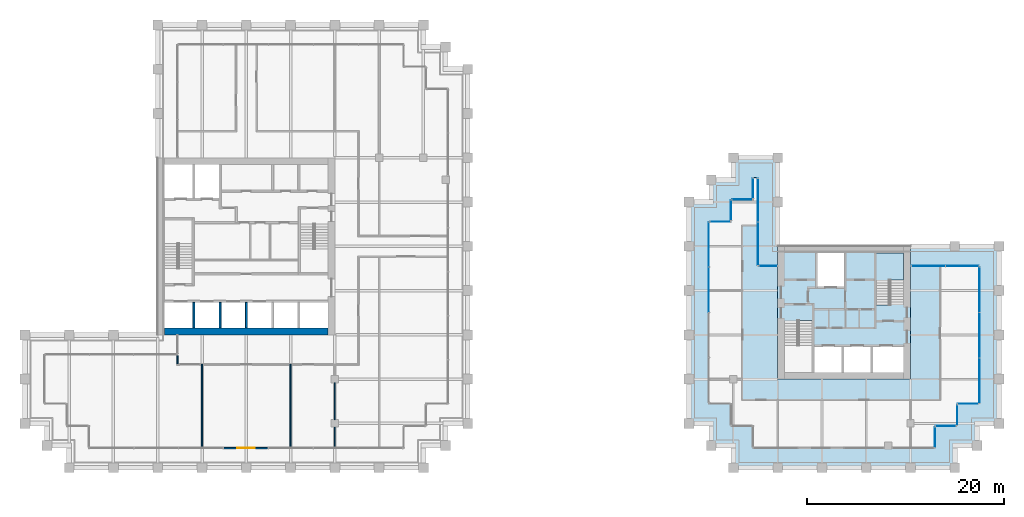
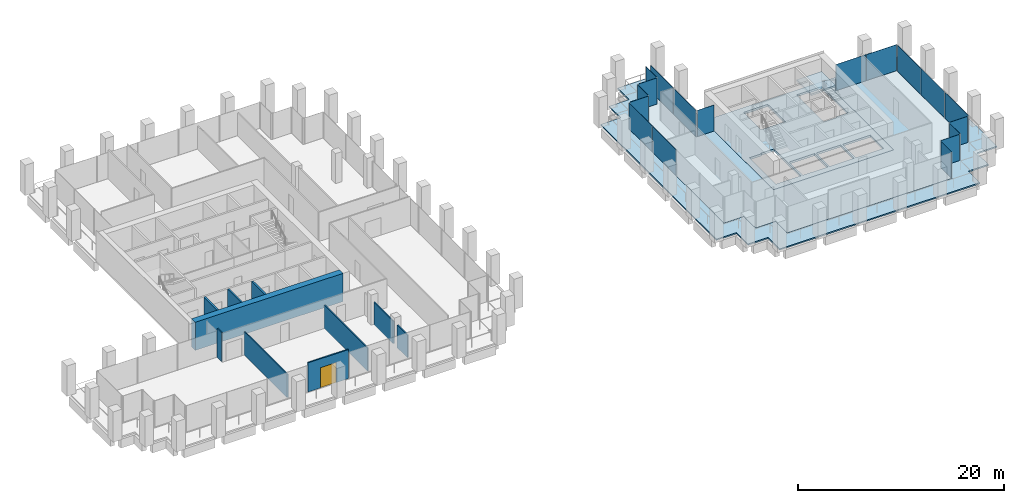
# One storey, part 40 of 46: 18 plates, 10 walls, 4 slabs, 1 door, 1 opening, 14 elements without a shape of their own.
"""IFC4 building model written with IfcOpenShell, lengths in metres."""

from ifc_helpers import new_model, si_unit, direction, frame, frame_2d, origin, origin_2d, place, context, subcontext, project, spatial, polyline, rectangle, outline, extrude, material, layer, layer_set, type_object, element, fill, aggregate, save


model = new_model("IFC4")

# Units and contexts
model_context = context("Model", 3, precision=1e-05, world=origin(), true_north=direction((0.0, 1.0)))
body_context = subcontext(model_context, "Body", "Model", "MODEL_VIEW")
ifc_project = project(units=[si_unit("LENGTHUNIT", "METRE"), si_unit("AREAUNIT", "SQUARE_METRE"), si_unit("VOLUMEUNIT", "CUBIC_METRE"), si_unit("PLANEANGLEUNIT", "RADIAN"), si_unit("MASSUNIT", "GRAM", prefix="KILO")], contexts=[model_context])

# Site, building, storey
site_placement = place(None, origin())
site = spatial("IfcSite", under=ifc_project, at=site_placement, CompositionType="ELEMENT")
building_placement = place(site_placement, origin())
building = spatial("IfcBuilding", under=site, at=building_placement, Name="Altepetl Exchange Towers", CompositionType="ELEMENT")
storey_placement = place(building_placement, frame((0.0, 0.0, 106.39990234375)))
storey = spatial("IfcBuildingStorey", under=building, at=storey_placement, Name="L26", CompositionType="ELEMENT", Elevation=106.39990234375)

# Slabs
ifc_material_1 = material(Name="Concrete C40/50", Category="concrete")
ifc_layer_1 = layer(ifc_material_1, 0.14990234375)
ifc_layer_set_1 = layer_set([ifc_layer_1], Name="Concrete C40/50")
slab_type_1 = type_object("IfcSlabType", Name="Composite floor slab 150", PredefinedType="FLOOR", material=ifc_layer_set_1)
slab_1_placement = place(storey_placement, frame((0.0, 0.0, -0.14990234375)))
element("IfcSlab", 1, at=slab_1_placement, inside=storey, type_object=slab_type_1, Name="slab:B:L26:strip0", PredefinedType="FLOOR", context=body_context, shape_type="SweptSolid", body=[
    extrude(outline(polyline([(98.75, 54.25), (98.75, 52.0), (96.5, 52.0), (96.5, 33.5), (98.75, 33.5), (98.75, 31.25), (101.0, 31.25), (101.0, 29.0), (119.5, 29.0), (119.5, 31.25), (121.75, 31.25), (121.75, 33.5), (124.0, 33.5), (124.0, 47.5), (117.0, 47.5), (117.0, 36.0), (103.5, 36.0), (103.5, 47.5), (101.5, 47.5), (101.5, 56.5), (101.0, 56.5), (101.0, 54.25), (98.75, 54.25)])), origin(), (0.0, 0.0, 1.0), 0.14990234375),
])
ifc_layer_2 = layer(ifc_material_1, 0.25)
ifc_layer_set_2 = layer_set([ifc_layer_2], Name="Concrete C40/50")
slab_type_2 = type_object("IfcSlabType", Name="Core floor slab 250", PredefinedType="FLOOR", material=ifc_layer_set_2)
slab_2_placement = place(storey_placement, frame((0.0, 0.0, -0.25)))
element("IfcSlab", 2, at=slab_2_placement, inside=storey, type_object=slab_type_2, Name="slab:B:L26:core0", PredefinedType="FLOOR", context=body_context, shape_type="SweptSolid", body=[
    extrude(outline(polyline([(103.5, 36.0), (117.0, 36.0), (117.0, 49.5), (103.5, 49.5), (103.5, 36.0)]), holes=[polyline([(107.199951171875, 36.699951171875), (107.199951171875, 39.300048828125), (110.032958984375, 39.300048828125), (110.032958984375, 36.699951171875), (107.199951171875, 36.699951171875)]), polyline([(110.23291015625, 39.300048828125), (112.967041015625, 39.300048828125), (112.967041015625, 36.699951171875), (110.23291015625, 36.699951171875), (110.23291015625, 39.300048828125)]), polyline([(113.1669921875, 39.300048828125), (116.300048828125, 39.300048828125), (116.300048828125, 36.699951171875), (113.1669921875, 36.699951171875), (113.1669921875, 39.300048828125)]), polyline([(107.0, 36.699951171875), (104.199951171875, 36.699951171875), (104.199951171875, 41.85009765625), (105.550048828125, 41.85009765625), (105.550048828125, 41.948974609375), (107.0, 41.948974609375), (107.0, 36.699951171875)]), polyline([(116.300048828125, 48.800048828125), (116.300048828125, 43.64990234375), (114.949951171875, 43.64990234375), (114.949951171875, 43.551025390625), (113.5, 43.551025390625), (113.5, 48.800048828125), (116.300048828125, 48.800048828125)]), polyline([(107.532958984375, 48.800048828125), (110.26708984375, 48.800048828125), (110.26708984375, 45.39990234375), (107.532958984375, 45.39990234375), (107.532958984375, 48.800048828125)])]), origin(), (0.0, 0.0, 1.0), 0.25),
])

# Curtain wall, plate
ifc_material_2 = material(Name="Aluminium 6063-T6 glazing", Category="aluminium")
curtain_wall_type = type_object("IfcCurtainWallType", Name="Loggia glazing system", PredefinedType="NOTDEFINED", material=ifc_material_2)
curtain_wall_1_placement = place(storey_placement, origin())
curtain_wall_1 = element("IfcCurtainWall", 3, at=curtain_wall_1_placement, inside=storey, type_object=curtain_wall_type, Name="CW1 run", PredefinedType="NOTDEFINED")
ifc_material_3 = material(Name="Glass 6-16-6 low emissivity", Category="glass")
ifc_layer_3 = layer(ifc_material_3, 0.028076171875)
ifc_layer_set_3 = layer_set([ifc_layer_3], Name="Glass 6-16-6 low emissivity")
plate_type = type_object("IfcPlateType", Name="Glass panel 28 double glazed", PredefinedType="CURTAIN_PANEL", material=ifc_layer_set_3)
plate_1_placement = place(storey_placement, frame((97.66259765625, 52.0, 0.0), z_axis=(0.0, 0.0, 1.0), x_axis=(-1.0, 0.0, 0.0)))
plate_1 = element("IfcPlate", 4, at=plate_1_placement, type_object=plate_type, Name="GP1 panel", PredefinedType="CURTAIN_PANEL", context=body_context, shape_type="SweptSolid", body=[
    extrude(rectangle(XDim=2.054931640625, YDim=0.028076171875, at=origin_2d()), origin(), (0.0, 0.0, 1.0), 3.10009765625),
])
aggregate(curtain_wall_1, [plate_1])

# Curtain wall, plates
curtain_wall_2_placement = place(storey_placement, origin())
curtain_wall_2 = element("IfcCurtainWall", 5, at=curtain_wall_2_placement, inside=storey, type_object=curtain_wall_type, Name="CW1 run", PredefinedType="NOTDEFINED")
plate_2_placement = place(storey_placement, frame((96.5, 49.681884765625, 0.0), z_axis=(0.0, 0.0, 1.0), x_axis=(0.0, -1.0, 0.0)))
plate_2 = element("IfcPlate", 6, at=plate_2_placement, type_object=plate_type, Name="GP1 panel", PredefinedType="CURTAIN_PANEL", context=body_context, shape_type="SweptSolid", body=[
    extrude(rectangle(XDim=4.516357421875, YDim=0.028076171875, at=origin_2d()), origin(), (0.0, 0.0, 1.0), 3.10009765625),
])
plate_3_placement = place(storey_placement, frame((96.5, 45.090576171875, 0.0), z_axis=(0.0, 0.0, 1.0), x_axis=(0.0, -1.0, 0.0)))
plate_3 = element("IfcPlate", 7, at=plate_3_placement, type_object=plate_type, Name="GP1 panel", PredefinedType="CURTAIN_PANEL", context=body_context, shape_type="SweptSolid", body=[
    extrude(rectangle(XDim=4.546142578125, YDim=0.028076171875, at=origin_2d()), origin(), (0.0, 0.0, 1.0), 3.10009765625),
])
aggregate(curtain_wall_2, [plate_2, plate_3])

# Curtain wall, plate
curtain_wall_3_placement = place(storey_placement, origin())
curtain_wall_3 = element("IfcCurtainWall", 8, at=curtain_wall_3_placement, inside=storey, type_object=curtain_wall_type, Name="CW1 run", PredefinedType="NOTDEFINED")
plate_4_placement = place(storey_placement, frame((119.5, 30.08740234375, 0.0), z_axis=(0.0, 0.0, 1.0), x_axis=(0.0, 1.0, 0.0)))
plate_4 = element("IfcPlate", 9, at=plate_4_placement, type_object=plate_type, Name="GP1 panel", PredefinedType="CURTAIN_PANEL", context=body_context, shape_type="SweptSolid", body=[
    extrude(rectangle(XDim=2.054931640625, YDim=0.028076171875, at=origin_2d()), origin(), (0.0, 0.0, 1.0), 3.10009765625),
])
aggregate(curtain_wall_3, [plate_4])

curtain_wall_4_placement = place(storey_placement, origin())
curtain_wall_4 = element("IfcCurtainWall", 10, at=curtain_wall_4_placement, inside=storey, type_object=curtain_wall_type, Name="CW1 run", PredefinedType="NOTDEFINED")
plate_5_placement = place(storey_placement, frame((120.58740234375, 31.25, 0.0)))
plate_5 = element("IfcPlate", 11, at=plate_5_placement, type_object=plate_type, Name="GP1 panel", PredefinedType="CURTAIN_PANEL", context=body_context, shape_type="SweptSolid", body=[
    extrude(rectangle(XDim=2.054931640625, YDim=0.028076171875, at=origin_2d()), origin(), (0.0, 0.0, 1.0), 3.10009765625),
])
aggregate(curtain_wall_4, [plate_5])

curtain_wall_5_placement = place(storey_placement, origin())
curtain_wall_5 = element("IfcCurtainWall", 12, at=curtain_wall_5_placement, inside=storey, type_object=curtain_wall_type, Name="CW1 run", PredefinedType="NOTDEFINED")
plate_6_placement = place(storey_placement, frame((121.75, 32.33740234375, 0.0), z_axis=(0.0, 0.0, 1.0), x_axis=(0.0, 1.0, 0.0)))
plate_6 = element("IfcPlate", 13, at=plate_6_placement, type_object=plate_type, Name="GP1 panel", PredefinedType="CURTAIN_PANEL", context=body_context, shape_type="SweptSolid", body=[
    extrude(rectangle(XDim=2.054931640625, YDim=0.028076171875, at=origin_2d()), origin(), (0.0, 0.0, 1.0), 3.10009765625),
])
aggregate(curtain_wall_5, [plate_6])

curtain_wall_6_placement = place(storey_placement, origin())
curtain_wall_6 = element("IfcCurtainWall", 14, at=curtain_wall_6_placement, inside=storey, type_object=curtain_wall_type, Name="CW1 run", PredefinedType="NOTDEFINED")
plate_7_placement = place(storey_placement, frame((122.83740234375, 33.5, 0.0)))
plate_7 = element("IfcPlate", 15, at=plate_7_placement, type_object=plate_type, Name="GP1 panel", PredefinedType="CURTAIN_PANEL", context=body_context, shape_type="SweptSolid", body=[
    extrude(rectangle(XDim=2.054931640625, YDim=0.028076171875, at=origin_2d()), origin(), (0.0, 0.0, 1.0), 3.10009765625),
])
aggregate(curtain_wall_6, [plate_7])

# Curtain wall, plates
curtain_wall_7_placement = place(storey_placement, origin())
curtain_wall_7 = element("IfcCurtainWall", 16, at=curtain_wall_7_placement, inside=storey, type_object=curtain_wall_type, Name="CW1 run", PredefinedType="NOTDEFINED")
plate_8_placement = place(storey_placement, frame((124.0, 35.8359375, 0.0), z_axis=(0.0, 0.0, 1.0), x_axis=(0.0, 1.0, 0.0)))
plate_8 = element("IfcPlate", 17, at=plate_8_placement, type_object=plate_type, Name="GP1 panel", PredefinedType="CURTAIN_PANEL", context=body_context, shape_type="SweptSolid", body=[
    extrude(rectangle(XDim=4.5517578125, YDim=0.028076171875, at=origin_2d()), origin(), (0.0, 0.0, 1.0), 3.10009765625),
])
plate_9_placement = place(storey_placement, frame((124.0, 40.46240234375, 0.0), z_axis=(0.0, 0.0, 1.0), x_axis=(0.0, 1.0, 0.0)))
plate_9 = element("IfcPlate", 18, at=plate_9_placement, type_object=plate_type, Name="GP1 panel", PredefinedType="CURTAIN_PANEL", context=body_context, shape_type="SweptSolid", body=[
    extrude(rectangle(XDim=4.581787109375, YDim=0.028076171875, at=origin_2d()), origin(), (0.0, 0.0, 1.0), 3.10009765625),
])
plate_10_placement = place(storey_placement, frame((124.0, 45.089111328125, 0.0), z_axis=(0.0, 0.0, 1.0), x_axis=(0.0, 1.0, 0.0)))
plate_10 = element("IfcPlate", 19, at=plate_10_placement, type_object=plate_type, Name="GP1 panel", PredefinedType="CURTAIN_PANEL", context=body_context, shape_type="SweptSolid", body=[
    extrude(rectangle(XDim=4.5517578125, YDim=0.028076171875, at=origin_2d()), origin(), (0.0, 0.0, 1.0), 3.10009765625),
])
aggregate(curtain_wall_7, [plate_8, plate_9, plate_10])

curtain_wall_8_placement = place(storey_placement, origin())
curtain_wall_8 = element("IfcCurtainWall", 20, at=curtain_wall_8_placement, inside=storey, type_object=curtain_wall_type, Name="CW1 run", PredefinedType="NOTDEFINED")
plate_11_placement = place(storey_placement, frame((122.253662109375, 47.5, 0.0), z_axis=(0.0, 0.0, 1.0), x_axis=(-1.0, 0.0, 0.0)))
plate_11 = element("IfcPlate", 21, at=plate_11_placement, type_object=plate_type, Name="GP1 panel", PredefinedType="CURTAIN_PANEL", context=body_context, shape_type="SweptSolid", body=[
    extrude(rectangle(XDim=3.37255859375, YDim=0.028076171875, at=origin_2d()), origin(), (0.0, 0.0, 1.0), 3.10009765625),
])
plate_12_placement = place(storey_placement, frame((118.8212890625, 47.5, 0.0), z_axis=(0.0, 0.0, 1.0), x_axis=(-1.0, 0.0, 0.0)))
plate_12 = element("IfcPlate", 22, at=plate_12_placement, type_object=plate_type, Name="GP1 panel", PredefinedType="CURTAIN_PANEL", context=body_context, shape_type="SweptSolid", body=[
    extrude(rectangle(XDim=3.37255859375, YDim=0.028076171875, at=origin_2d()), origin(), (0.0, 0.0, 1.0), 3.10009765625),
])
aggregate(curtain_wall_8, [plate_11, plate_12])

# Curtain wall, plate
curtain_wall_9_placement = place(storey_placement, origin())
curtain_wall_9 = element("IfcCurtainWall", 23, at=curtain_wall_9_placement, inside=storey, type_object=curtain_wall_type, Name="CW1 run", PredefinedType="NOTDEFINED")
plate_13_placement = place(storey_placement, frame((102.53759765625, 47.5, 0.0), z_axis=(0.0, 0.0, 1.0), x_axis=(-1.0, 0.0, 0.0)))
plate_13 = element("IfcPlate", 24, at=plate_13_placement, type_object=plate_type, Name="GP1 panel", PredefinedType="CURTAIN_PANEL", context=body_context, shape_type="SweptSolid", body=[
    extrude(rectangle(XDim=1.804931640625, YDim=0.028076171875, at=origin_2d()), origin(), (0.0, 0.0, 1.0), 3.10009765625),
])
aggregate(curtain_wall_9, [plate_13])

# Curtain wall, plates
curtain_wall_10_placement = place(storey_placement, origin())
curtain_wall_10 = element("IfcCurtainWall", 25, at=curtain_wall_10_placement, inside=storey, type_object=curtain_wall_type, Name="CW1 run", PredefinedType="NOTDEFINED")
plate_14_placement = place(storey_placement, frame((101.5, 49.746337890625, 0.0), z_axis=(0.0, 0.0, 1.0), x_axis=(0.0, 1.0, 0.0)))
plate_14 = element("IfcPlate", 26, at=plate_14_placement, type_object=plate_type, Name="GP1 panel", PredefinedType="CURTAIN_PANEL", context=body_context, shape_type="SweptSolid", body=[
    extrude(rectangle(XDim=4.37255859375, YDim=0.028076171875, at=origin_2d()), origin(), (0.0, 0.0, 1.0), 3.10009765625),
])
plate_15_placement = place(storey_placement, frame((101.5, 54.1787109375, 0.0), z_axis=(0.0, 0.0, 1.0), x_axis=(0.0, 1.0, 0.0)))
plate_15 = element("IfcPlate", 27, at=plate_15_placement, type_object=plate_type, Name="GP1 panel", PredefinedType="CURTAIN_PANEL", context=body_context, shape_type="SweptSolid", body=[
    extrude(rectangle(XDim=4.37255859375, YDim=0.028076171875, at=origin_2d()), origin(), (0.0, 0.0, 1.0), 3.10009765625),
])
aggregate(curtain_wall_10, [plate_14, plate_15])

# Curtain wall, plate
curtain_wall_11_placement = place(storey_placement, origin())
curtain_wall_11 = element("IfcCurtainWall", 28, at=curtain_wall_11_placement, inside=storey, type_object=curtain_wall_type, Name="CW1 run", PredefinedType="NOTDEFINED")
plate_16_placement = place(storey_placement, frame((101.0, 55.41259765625, 0.0), z_axis=(0.0, 0.0, 1.0), x_axis=(0.0, -1.0, 0.0)))
plate_16 = element("IfcPlate", 29, at=plate_16_placement, type_object=plate_type, Name="GP1 panel", PredefinedType="CURTAIN_PANEL", context=body_context, shape_type="SweptSolid", body=[
    extrude(rectangle(XDim=2.054931640625, YDim=0.028076171875, at=origin_2d()), origin(), (0.0, 0.0, 1.0), 3.10009765625),
])
aggregate(curtain_wall_11, [plate_16])

curtain_wall_12_placement = place(storey_placement, origin())
curtain_wall_12 = element("IfcCurtainWall", 30, at=curtain_wall_12_placement, inside=storey, type_object=curtain_wall_type, Name="CW1 run", PredefinedType="NOTDEFINED")
plate_17_placement = place(storey_placement, frame((99.91259765625, 54.25, 0.0), z_axis=(0.0, 0.0, 1.0), x_axis=(-1.0, 0.0, 0.0)))
plate_17 = element("IfcPlate", 31, at=plate_17_placement, type_object=plate_type, Name="GP1 panel", PredefinedType="CURTAIN_PANEL", context=body_context, shape_type="SweptSolid", body=[
    extrude(rectangle(XDim=2.054931640625, YDim=0.028076171875, at=origin_2d()), origin(), (0.0, 0.0, 1.0), 3.10009765625),
])
aggregate(curtain_wall_12, [plate_17])

curtain_wall_13_placement = place(storey_placement, origin())
curtain_wall_13 = element("IfcCurtainWall", 32, at=curtain_wall_13_placement, inside=storey, type_object=curtain_wall_type, Name="CW1 run", PredefinedType="NOTDEFINED")
plate_18_placement = place(storey_placement, frame((98.75, 53.16259765625, 0.0), z_axis=(0.0, 0.0, 1.0), x_axis=(0.0, -1.0, 0.0)))
plate_18 = element("IfcPlate", 33, at=plate_18_placement, type_object=plate_type, Name="GP1 panel", PredefinedType="CURTAIN_PANEL", context=body_context, shape_type="SweptSolid", body=[
    extrude(rectangle(XDim=2.054931640625, YDim=0.028076171875, at=origin_2d()), origin(), (0.0, 0.0, 1.0), 3.10009765625),
])
aggregate(curtain_wall_13, [plate_18])

# Slab
ifc_layer_4 = layer(ifc_material_1, 0.14990234375)
ifc_layer_set_4 = layer_set([ifc_layer_4], Name="Concrete C40/50")
slab_type_3 = type_object("IfcSlabType", Name="Loggia slab 150", PredefinedType="FLOOR", material=ifc_layer_set_4)
slab_3_placement = place(storey_placement, frame((0.0, 0.0, -0.14990234375)))
element("IfcSlab", 34, at=slab_3_placement, inside=storey, type_object=slab_type_3, Name="slab:B:L26:loggia0", PredefinedType="FLOOR", context=body_context, shape_type="SweptSolid", body=[
    extrude(outline(polyline([(96.75, 54.0), (94.5, 54.0), (94.5, 36.0), (94.5, 31.5), (96.75, 31.5), (96.75, 29.25), (99.0, 29.25), (99.0, 27.0), (117.0, 27.0), (121.5, 27.0), (121.5, 29.25), (123.75, 29.25), (123.75, 31.5), (126.0, 31.5), (126.0, 49.5), (117.0, 49.5), (117.0, 47.5), (124.0, 47.5), (124.0, 33.5), (121.75, 33.5), (121.75, 31.25), (119.5, 31.25), (119.5, 29.0), (101.0, 29.0), (101.0, 31.25), (98.75, 31.25), (98.75, 33.5), (96.5, 33.5), (96.5, 52.0), (98.75, 52.0), (98.75, 54.25), (101.0, 54.25), (101.0, 56.5), (101.5, 56.5), (101.5, 47.5), (103.5, 47.5), (103.5, 49.5), (103.5, 58.5), (99.0, 58.5), (99.0, 56.25), (96.75, 56.25), (96.75, 54.0)])), origin(), (0.0, 0.0, 1.0), 0.14990234375),
])

# Stair, slab
stair_type = type_object("IfcStairType", Name="Exit stair 1350 flights dogleg", PredefinedType="HALF_TURN_STAIR", material=ifc_material_1)
stair_placement = place(storey_placement, origin())
stair = element("IfcStair", 35, at=stair_placement, inside=storey, type_object=stair_type, Name="Exit stair 2", PredefinedType="HALF_TURN_STAIR")
ifc_layer_5 = layer(ifc_material_1, 0.199951171875)
ifc_layer_set_5 = layer_set([ifc_layer_5], Name="Concrete C40/50")
slab_type_4 = type_object("IfcSlabType", Name="Stair landing 200 reinforced concrete", PredefinedType="LANDING", material=ifc_layer_set_5)
slab_4_placement = place(storey_placement, frame((0.0, 0.0, 1.60009765625)))
slab_4 = element("IfcSlab", 36, at=slab_4_placement, type_object=slab_type_4, Name="ST-B2d landing 1", PredefinedType="LANDING", context=body_context, shape_type="SweptSolid", body=[
    extrude(outline(polyline([(114.85009765625, 45.969970703125), (113.5, 45.969970703125), (113.5, 46.070068359375), (113.5, 48.800048828125), (116.300048828125, 48.800048828125), (116.300048828125, 46.070068359375), (116.300048828125, 46.0693359375), (114.949951171875, 46.0693359375), (114.949951171875, 46.070068359375), (114.85009765625, 46.070068359375), (114.85009765625, 45.969970703125)])), origin(), (0.0, 0.0, 1.0), 0.199951171875),
])
aggregate(stair, [slab_4])

# Wall
ifc_material_4 = material(Name="Concrete C70/85", Category="concrete")
ifc_layer_6 = layer(ifc_material_4, 0.699951171875)
ifc_layer_set_6 = layer_set([ifc_layer_6], Name="Concrete C70/85")
wall_type_1 = type_object("IfcWallType", Name="Core wall 700 reinforced concrete", PredefinedType="SHEAR", material=ifc_layer_set_6)
wall_1_placement = place(storey_placement, frame((41.199951171875, 40.85009765625, 0.0)))
element("IfcWall", 37, at=wall_1_placement, inside=storey, type_object=wall_type_1, Name="wall:A:L26:K-coreS", PredefinedType="SHEAR", context=body_context, shape_type="SweptSolid", body=[
    extrude(rectangle(XDim=16.60009765625, YDim=0.699951171875, at=frame_2d((8.300048828125, 0.0))), origin(), (0.0, 0.0, 1.0), 3.35009765625),
])

# Wall, opening, door
ifc_material_5 = material(Name="Aluminium composite cladding", Category="aluminium")
ifc_layer_7 = layer(ifc_material_5, 0.14990234375)
ifc_layer_set_7 = layer_set([ifc_layer_7], Name="Aluminium composite cladding")
wall_type_2 = type_object("IfcWallType", Name="Infill wall 150 aluminium panel", PredefinedType="SOLIDWALL", material=ifc_layer_set_7)
wall_2_placement = place(storey_placement, frame((47.18212890625, 29.0, 0.0)))
wall_2 = element("IfcWall", 38, at=wall_2_placement, inside=storey, type_object=wall_type_2, Name="Loggia door bay wall", PredefinedType="SOLIDWALL", context=body_context, shape_type="SweptSolid", body=[
    extrude(rectangle(XDim=4.560791015625, YDim=0.14990234375, at=frame_2d((2.2802734375, 0.0))), origin(), (0.0, 0.0, 1.0), 3.4501953125),
])
opening_placement = place(wall_2_placement, frame((1.38037109375, 0.0, 0.0)))
opening = element("IfcOpeningElement", 39, at=opening_placement, cuts=wall_2, Name="Opening L26.A90", PredefinedType="OPENING", context=body_context, shape_type="SweptSolid", body=[
    extrude(rectangle(XDim=1.800048828125, YDim=2.39990234375, at=frame_2d((0.89990234375, 1.199951171875))), frame((0.0, 0.0849609375, 0.0), z_axis=(0.0, -1.0, 0.0), x_axis=(1.0, 0.0, 0.0)), (0.0, 0.0, 1.0), 0.169921875),
])
ifc_material_6 = material(Name="Aluminium 6063-T6 and glass", Category="aluminium")
door_type = type_object("IfcDoorType", Name="Glazed door pair 1800x2400", OperationType="DOUBLE_DOOR_DOUBLE_SWING", PredefinedType="NOTDEFINED", material=ifc_material_6)
door_placement = place(opening_placement, frame((1.800048828125, 0.0, 0.0), x_axis=(-1.0, 0.0, 0.0)))
door = element("IfcDoor", 40, at=door_placement, inside=storey, type_object=door_type, Name="Loggia door", OperationType="DOUBLE_DOOR_DOUBLE_SWING", OverallHeight=2.39990234375, OverallWidth=1.800048828125, PredefinedType="NOTDEFINED", context=body_context, shape_type="SweptSolid", body=[
    extrude(rectangle(XDim=1.800048828125, YDim=2.39990234375, at=frame_2d((0.89990234375, 1.199951171875))), frame((0.0, 0.02490234375, 0.0), z_axis=(0.0, -1.0, 0.0), x_axis=(1.0, 0.0, 0.0)), (0.0, 0.0, 1.0), 0.050048828125),
])
fill(opening, door)

# Walls
ifc_material_7 = material(Name="Gypsum board on steel studs", Category="steel")
ifc_layer_8 = layer(ifc_material_7, 0.125)
ifc_layer_set_8 = layer_set([ifc_layer_8], Name="Gypsum board on steel studs")
wall_type_3 = type_object("IfcWallType", Name="Partition 125 gypsum board on steel studs", PredefinedType="PARTITIONING", material=ifc_layer_set_8)
wall_3_placement = place(storey_placement, frame((42.5, 37.5625, 0.0), z_axis=(0.0, 0.0, 1.0), x_axis=(0.0, 1.0, 0.0)))
element("IfcWall", 41, at=wall_3_placement, inside=storey, type_object=wall_type_3, Name="wall:A:L26:P06", PredefinedType="PARTITIONING", context=body_context, shape_type="SweptSolid", body=[
    extrude(rectangle(XDim=0.83740234375, YDim=0.125, at=frame_2d((0.418701171875, 0.0))), origin(), (0.0, 0.0, 1.0), 3.4501953125),
])
for number, where, z_axis, x_axis, name in (
    (42, (45.0, 29.10009765625, 0.0), (0.0, 0.0, 1.0), (0.0, 1.0, 0.0), "wall:A:L26:P07"),
    (43, (54.0, 29.10009765625, 0.0), (0.0, 0.0, 1.0), (0.0, 1.0, 0.0), "wall:A:L26:P10"),
):
    element("IfcWall", number, at=place(storey_placement, frame(where, z_axis=z_axis, x_axis=x_axis)), inside=storey, type_object=wall_type_3, Name=name, PredefinedType="PARTITIONING", context=body_context, shape_type="SweptSolid", body=[
        extrude(rectangle(XDim=8.39990234375, YDim=0.125, at=frame_2d((4.199951171875, 0.0))), origin(), (0.0, 0.0, 1.0), 2.76611328125),
    ])
wall_4_placement = place(storey_placement, frame((58.5, 29.10009765625, 0.0), z_axis=(0.0, 0.0, 1.0), x_axis=(0.0, 1.0, 0.0)))
element("IfcWall", 44, at=wall_4_placement, inside=storey, type_object=wall_type_3, Name="wall:A:L26:P11", PredefinedType="PARTITIONING", context=body_context, shape_type="SweptSolid", body=[
    extrude(rectangle(XDim=2.02490234375, YDim=0.125, at=frame_2d((1.012451171875, 0.0))), origin(), (0.0, 0.0, 1.0), 2.676025390625),
])
wall_5_placement = place(storey_placement, frame((58.5, 31.875, 0.0), z_axis=(0.0, 0.0, 1.0), x_axis=(0.0, 1.0, 0.0)))
element("IfcWall", 45, at=wall_5_placement, inside=storey, type_object=wall_type_3, Name="wall:A:L26:P12", PredefinedType="PARTITIONING", context=body_context, shape_type="SweptSolid", body=[
    extrude(rectangle(XDim=3.75, YDim=0.125, at=frame_2d((1.875, 0.0))), origin(), (0.0, 0.0, 1.0), 2.676025390625),
])
ifc_layer_9 = layer(ifc_material_1, 0.199951171875)
ifc_layer_set_9 = layer_set([ifc_layer_9], Name="Concrete C40/50")
wall_type_4 = type_object("IfcWallType", Name="Shaft wall 200 reinforced concrete", PredefinedType="SHEAR", material=ifc_layer_set_9)
for number, where, z_axis, x_axis, name in (
    (46, (44.166748046875, 41.199951171875, 0.0), (0.0, 0.0, 1.0), (0.0, 1.0, 0.0), "wall:A:L26:K-divS1"),
    (47, (46.833251953125, 41.199951171875, 0.0), (0.0, 0.0, 1.0), (0.0, 1.0, 0.0), "wall:A:L26:K-divS2"),
    (48, (49.5, 41.199951171875, 0.0), (0.0, 0.0, 1.0), (0.0, 1.0, 0.0), "wall:A:L26:K-divS3"),
):
    element("IfcWall", number, at=place(storey_placement, frame(where, z_axis=z_axis, x_axis=x_axis)), inside=storey, type_object=wall_type_4, Name=name, PredefinedType="SHEAR", context=body_context, shape_type="SweptSolid", body=[
        extrude(rectangle(XDim=2.60009765625, YDim=0.199951171875, at=frame_2d((1.300048828125, 0.0))), origin(), (0.0, 0.0, 1.0), 3.35009765625),
    ])

save(model, "model.ifc")
